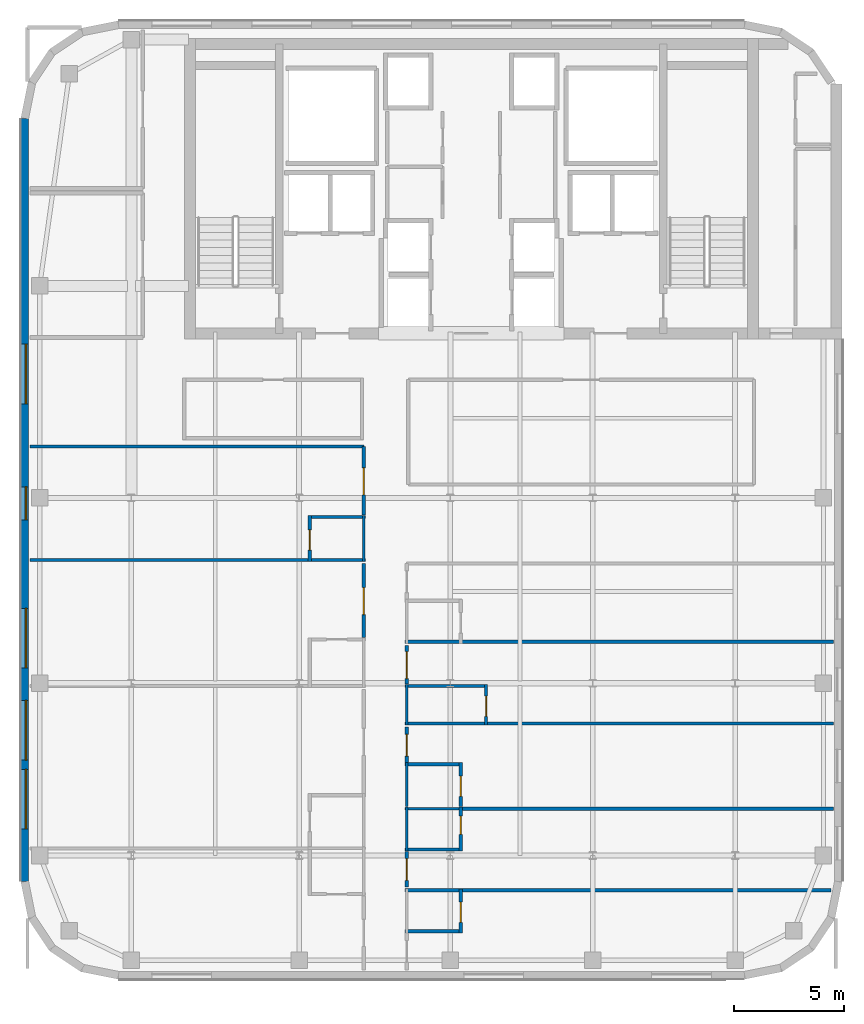
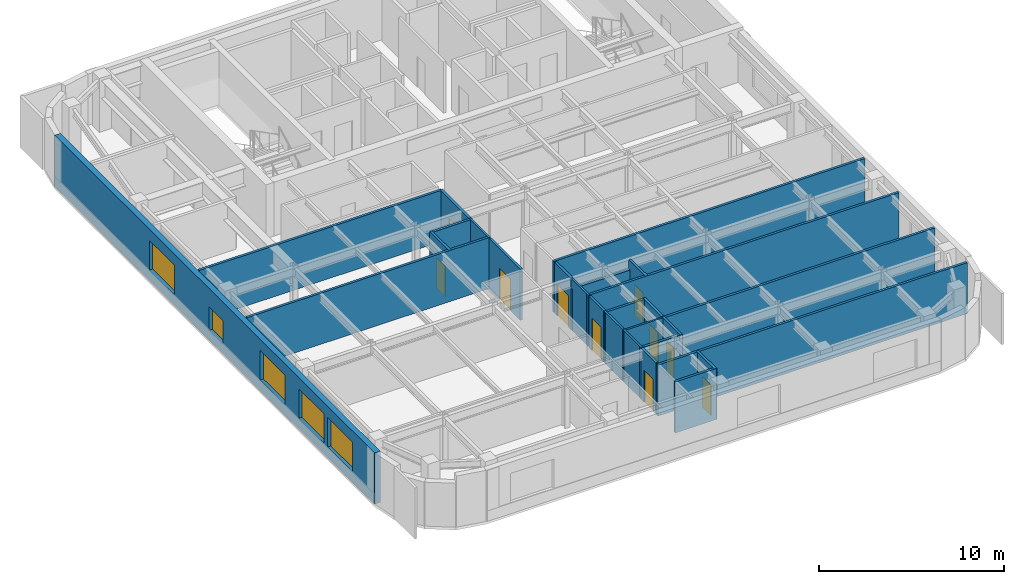
# One storey, part 4 of 12: 28 walls, 10 doors, 5 windows, 15 openings.
"""IFC4 building model written with IfcOpenShell, lengths in metres."""

from ifc_helpers import new_model, si_unit, direction, frame, frame_2d, origin, place, context, subcontext, project, spatial, rectangle, extrude, source, transform, mapped, material, layer, layer_set, type_object, type_shapes, element, fill, save


model = new_model("IFC4")

# Units and contexts
model_context = context("Model", 3, precision=1e-05, world=origin(), true_north=direction((0.0, 1.0)))
body_context = subcontext(model_context, "Body", "Model", "MODEL_VIEW")
ifc_project = project(units=[si_unit("LENGTHUNIT", "METRE"), si_unit("AREAUNIT", "SQUARE_METRE"), si_unit("VOLUMEUNIT", "CUBIC_METRE"), si_unit("PLANEANGLEUNIT", "RADIAN"), si_unit("MASSUNIT", "GRAM", prefix="KILO")], contexts=[model_context])

# Site, building, storey
site_placement = place(None, origin())
site = spatial("IfcSite", under=ifc_project, at=site_placement, CompositionType="ELEMENT")
building_placement = place(site_placement, origin())
building = spatial("IfcBuilding", under=site, at=building_placement, Name="Tolvann Quenvar Hotel", CompositionType="ELEMENT")
storey_placement = place(building_placement, frame((0.0, 0.0, 213.25)))
storey = spatial("IfcBuildingStorey", under=building, at=storey_placement, Name="L56", CompositionType="ELEMENT", Elevation=213.25)

# Wall, openings, windows
ifc_material_1 = material(Name="Kiln-fired red and buff architectural clay brickwork and terracotta masonry", Category="masonry")
ifc_layer_1 = layer(ifc_material_1, 0.35009765625)
ifc_layer_set_1 = layer_set([ifc_layer_1], Name="Kiln-fired red and buff architectural clay brickwork and terracotta masonry")
wall_type_1 = type_object("IfcWallType", Name="WALL_EXT_BRICK_350", PredefinedType="SOLIDWALL", material=ifc_layer_set_1)
wall_1_placement = place(storey_placement, frame((2.77490234375, 41.582763671875, 0.0), z_axis=(0.0, 0.0, 1.0), x_axis=(0.0, -1.0, 0.0)))
wall_1 = element("IfcWall", 1, at=wall_1_placement, inside=storey, type_object=wall_type_1, Name="Exterior Chicago Brick Wall L56-E19", PredefinedType="SOLIDWALL", context=body_context, shape_type="SweptSolid", body=[
    extrude(rectangle(XDim=34.565673828125, YDim=0.35009765625, at=frame_2d((17.28271484375, 0.0))), origin(), (0.0, 0.0, 1.0), 3.3701171875),
])
opening_1_placement = place(wall_1_placement, frame((10.22705078125, 0.0, 0.679931640625)))
opening_1 = element("IfcOpeningElement", 2, at=opening_1_placement, cuts=wall_1, Name="Opening W-04", PredefinedType="OPENING", context=body_context, shape_type="SweptSolid", body=[
    extrude(rectangle(XDim=2.699951171875, YDim=1.949951171875, at=frame_2d((1.35009765625, 0.97509765625))), frame((0.0, 0.18505859375, 0.0), z_axis=(0.0, -1.0, 0.0), x_axis=(1.0, 0.0, 0.0)), (0.0, 0.0, 1.0), 0.3701171875),
])
opening_2_placement = place(wall_1_placement, frame((22.18896484375, 0.0, 0.679931640625)))
opening_2 = element("IfcOpeningElement", 3, at=opening_2_placement, cuts=wall_1, Name="Opening W-04", PredefinedType="OPENING", context=body_context, shape_type="SweptSolid", body=[
    extrude(rectangle(XDim=2.699951171875, YDim=1.949951171875, at=frame_2d((1.35009765625, 0.97509765625))), frame((0.0, 0.18505859375, 0.0), z_axis=(0.0, -1.0, 0.0), x_axis=(1.0, 0.0, 0.0)), (0.0, 0.0, 1.0), 0.3701171875),
])
opening_3_placement = place(wall_1_placement, frame((26.360107421875, 0.0, 0.679931640625)))
opening_3 = element("IfcOpeningElement", 4, at=opening_3_placement, cuts=wall_1, Name="Opening W-04", PredefinedType="OPENING", context=body_context, shape_type="SweptSolid", body=[
    extrude(rectangle(XDim=2.699951171875, YDim=1.949951171875, at=frame_2d((1.35009765625, 0.97509765625))), frame((0.0, 0.18505859375, 0.0), z_axis=(0.0, -1.0, 0.0), x_axis=(1.0, 0.0, 0.0)), (0.0, 0.0, 1.0), 0.3701171875),
])
opening_4_placement = place(wall_1_placement, frame((29.47998046875, 0.0, 0.679931640625)))
opening_4 = element("IfcOpeningElement", 5, at=opening_4_placement, cuts=wall_1, Name="Opening W-04", PredefinedType="OPENING", context=body_context, shape_type="SweptSolid", body=[
    extrude(rectangle(XDim=2.699951171875, YDim=1.949951171875, at=frame_2d((1.35009765625, 0.97509765625))), frame((0.0, 0.18505859375, 0.0), z_axis=(0.0, -1.0, 0.0), x_axis=(1.0, 0.0, 0.0)), (0.0, 0.0, 1.0), 0.3701171875),
])
opening_5_placement = place(wall_1_placement, frame((16.68310546875, 0.0, 0.6201171875)))
opening_5 = element("IfcOpeningElement", 6, at=opening_5_placement, cuts=wall_1, Name="Opening W-08", PredefinedType="OPENING", context=body_context, shape_type="SweptSolid", body=[
    extrude(rectangle(XDim=1.5, YDim=1.550048828125, at=frame_2d((0.75, 0.77490234375))), frame((0.0, 0.18505859375, 0.0), z_axis=(0.0, -1.0, 0.0), x_axis=(1.0, 0.0, 0.0)), (0.0, 0.0, 1.0), 0.3701171875),
])
ifc_material_2 = material(Name="Thermally broken bronze-anodised aluminium frame with double low-E glazing", Category="aluminium")
window_type_1 = type_object("IfcWindowType", Name="WIN_COR_1500x2050", PartitioningType="SINGLE_PANEL", PredefinedType="WINDOW", material=ifc_material_2)
shared_shape_1 = source(origin(), body_context, "Body", "SweptSolid", [
    extrude(rectangle(XDim=1.5, YDim=1.550048828125, at=frame_2d((0.75, 0.77490234375))), frame((0.0, 0.090087890625, 0.0), z_axis=(0.0, -1.0, 0.0), x_axis=(1.0, 0.0, 0.0)), (0.0, 0.0, 1.0), 0.06005859375),
])
type_shapes(window_type_1, [shared_shape_1])
window_1_placement = place(opening_5_placement, origin())
window_1 = element("IfcWindow", 7, at=window_1_placement, inside=storey, type_object=window_type_1, Name="Chicago Window W-08 (EW-L56-E19-WD05)", OverallHeight=1.550048828125, OverallWidth=1.5, PartitioningType="SINGLE_PANEL", PredefinedType="WINDOW", context=body_context, shape_type="MappedRepresentation", body=[
    mapped(shared_shape_1, transform((0.0, 0.0, 0.0), x_axis=(1.0, 0.0, 0.0), y_axis=(0.0, 1.0, 0.0), z_axis=(0.0, 0.0, 1.0), scale=1.0)),
])
fill(opening_5, window_1)
window_type_2 = type_object("IfcWindowType", Name="WIN_STE_2700x2150", PartitioningType="TRIPLE_PANEL_HORIZONTAL", PredefinedType="WINDOW", material=ifc_material_2)
shared_shape_2 = source(origin(), body_context, "Body", "SweptSolid", [
    extrude(rectangle(XDim=2.699951171875, YDim=1.949951171875, at=frame_2d((1.35009765625, 0.97509765625))), frame((0.0, 0.090087890625, 0.0), z_axis=(0.0, -1.0, 0.0), x_axis=(1.0, 0.0, 0.0)), (0.0, 0.0, 1.0), 0.06005859375),
])
type_shapes(window_type_2, [shared_shape_2])
window_2_placement = place(opening_1_placement, origin())
window_2 = element("IfcWindow", 8, at=window_2_placement, inside=storey, type_object=window_type_2, Name="Chicago Window W-04 (EW-L56-E19-W01)", OverallHeight=1.949951171875, OverallWidth=2.699951171875, PartitioningType="TRIPLE_PANEL_HORIZONTAL", PredefinedType="WINDOW", context=body_context, shape_type="MappedRepresentation", body=[
    mapped(shared_shape_2, transform((0.0, 0.0, 0.0), x_axis=(1.0, 0.0, 0.0), y_axis=(0.0, 1.0, 0.0), z_axis=(0.0, 0.0, 1.0), scale=1.0)),
])
fill(opening_1, window_2)
window_3_placement = place(opening_2_placement, origin())
window_3 = element("IfcWindow", 9, at=window_3_placement, inside=storey, type_object=window_type_2, Name="Chicago Window W-04 (EW-L56-E19-W02)", OverallHeight=1.949951171875, OverallWidth=2.699951171875, PartitioningType="TRIPLE_PANEL_HORIZONTAL", PredefinedType="WINDOW", context=body_context, shape_type="MappedRepresentation", body=[
    mapped(shared_shape_2, transform((0.0, 0.0, 0.0), x_axis=(1.0, 0.0, 0.0), y_axis=(0.0, 1.0, 0.0), z_axis=(0.0, 0.0, 1.0), scale=1.0)),
])
fill(opening_2, window_3)
window_4_placement = place(opening_3_placement, origin())
window_4 = element("IfcWindow", 10, at=window_4_placement, inside=storey, type_object=window_type_2, Name="Chicago Window W-04 (EW-L56-E19-W03)", OverallHeight=1.949951171875, OverallWidth=2.699951171875, PartitioningType="TRIPLE_PANEL_HORIZONTAL", PredefinedType="WINDOW", context=body_context, shape_type="MappedRepresentation", body=[
    mapped(shared_shape_2, transform((0.0, 0.0, 0.0), x_axis=(1.0, 0.0, 0.0), y_axis=(0.0, 1.0, 0.0), z_axis=(0.0, 0.0, 1.0), scale=1.0)),
])
fill(opening_3, window_4)
window_5_placement = place(opening_4_placement, origin())
window_5 = element("IfcWindow", 11, at=window_5_placement, inside=storey, type_object=window_type_2, Name="Chicago Window W-04 (EW-L56-E19-W04)", OverallHeight=1.949951171875, OverallWidth=2.699951171875, PartitioningType="TRIPLE_PANEL_HORIZONTAL", PredefinedType="WINDOW", context=body_context, shape_type="MappedRepresentation", body=[
    mapped(shared_shape_2, transform((0.0, 0.0, 0.0), x_axis=(1.0, 0.0, 0.0), y_axis=(0.0, 1.0, 0.0), z_axis=(0.0, 0.0, 1.0), scale=1.0)),
])
fill(opening_4, window_5)

# Walls
ifc_material_3 = material(Name="Moisture-resistant acoustic plumbing wall assembly")
ifc_layer_2 = layer(ifc_material_3, 0.1201171875)
ifc_layer_set_2 = layer_set([ifc_layer_2], Name="Moisture-resistant acoustic plumbing wall assembly")
wall_type_2 = type_object("IfcWallType", Name="WALL_PART_BATH_120", PredefinedType="PLUMBINGWALL", material=ifc_layer_set_2)
wall_2_placement = place(storey_placement, frame((18.1298828125, 21.510009765625, 0.0), z_axis=(0.0, 0.0, 1.0), x_axis=(0.0, 1.0, 0.0)))
element("IfcWall", 12, at=wall_2_placement, inside=storey, type_object=wall_type_2, Name="Non-Rated Plumbing Partition PT-SPC-L56-ENS-WO04-E", PredefinedType="PLUMBINGWALL", context=body_context, shape_type="SweptSolid", body=[
    extrude(rectangle(XDim=2.093017578125, YDim=0.1201171875, at=frame_2d((1.04638671875, 0.0))), origin(), (0.0, 0.0, 1.0), 3.3701171875),
])
wall_3_placement = place(storey_placement, frame((20.0, 10.320068359375, 0.0), z_axis=(0.0, 0.0, 1.0), x_axis=(1.0, 0.0, 0.0)))
element("IfcWall", 13, at=wall_3_placement, inside=storey, type_object=wall_type_2, Name="Non-Rated Plumbing Partition PT-SPC-L56-ENS-EO02-N", PredefinedType="PLUMBINGWALL", context=body_context, shape_type="SweptSolid", body=[
    extrude(rectangle(XDim=2.590087890625, YDim=0.1201171875, at=frame_2d((1.294921875, 0.0))), origin(), (0.0, 0.0, 1.0), 3.3701171875),
])
for number, where, z_axis, x_axis, name in (
    (14, (20.070068359375, 8.39990234375, 0.0), (0.0, 0.0, 1.0), (0.0, 1.0, 0.0), "Non-Rated Plumbing Partition PT-SPC-L56-ENS-EO02-W"),
    (15, (20.070068359375, 10.409912109375, 0.0), (0.0, 0.0, 1.0), (0.0, 1.0, 0.0), "Non-Rated Plumbing Partition PT-SPC-L56-ENS-EO03-W"),
):
    element("IfcWall", number, at=place(storey_placement, frame(where, z_axis=z_axis, x_axis=x_axis)), inside=storey, type_object=wall_type_2, Name=name, PredefinedType="PLUMBINGWALL", context=body_context, shape_type="SweptSolid", body=[
        extrude(rectangle(XDim=1.989990234375, YDim=0.1201171875, at=frame_2d((0.9951171875, 0.0))), origin(), (0.0, 0.0, 1.0), 3.3701171875),
    ])
wall_4_placement = place(storey_placement, frame((20.070068359375, 14.110107421875, 0.0), z_axis=(0.0, 0.0, 1.0), x_axis=(0.0, 1.0, 0.0)))
element("IfcWall", 16, at=wall_4_placement, inside=storey, type_object=wall_type_2, Name="Non-Rated Plumbing Partition PT-SPC-L56-ENS-EO04-W", PredefinedType="PLUMBINGWALL", context=body_context, shape_type="SweptSolid", body=[
    extrude(rectangle(XDim=1.8388671875, YDim=0.1201171875, at=frame_2d((0.91943359375, 0.0))), origin(), (0.0, 0.0, 1.0), 3.3701171875),
])

# Wall, opening, door
ifc_material_4 = material(Name="Acoustic twin-stud fire-rated gypsum plasterboard partition")
ifc_layer_3 = layer(ifc_material_4, 0.14990234375)
ifc_layer_set_3 = layer_set([ifc_layer_3], Name="Acoustic twin-stud fire-rated gypsum plasterboard partition")
wall_type_3 = type_object("IfcWallType", Name="WALL_PART_SUITE_150", PredefinedType="PARTITIONING", material=ifc_layer_set_3)
wall_5_placement = place(storey_placement, frame((15.679931640625, 21.510009765625, 0.0), z_axis=(0.0, 0.0, 1.0), x_axis=(0.0, 1.0, 0.0)))
wall_5 = element("IfcWall", 17, at=wall_5_placement, inside=storey, type_object=wall_type_3, Name="Interior Partition PT-SPC-L56-ENS-WO04-ENT", PredefinedType="PARTITIONING", context=body_context, shape_type="SweptSolid", body=[
    extrude(rectangle(XDim=2.093017578125, YDim=0.14990234375, at=frame_2d((1.04638671875, 0.0))), origin(), (0.0, 0.0, 1.0), 3.3701171875),
])
opening_6_placement = place(wall_5_placement, frame((0.5166015625, 0.0, 0.0)))
opening_6 = element("IfcOpeningElement", 18, at=opening_6_placement, cuts=wall_5, Name="Opening WD-01", PredefinedType="OPENING", context=body_context, shape_type="SweptSolid", body=[
    extrude(rectangle(XDim=0.919921875, YDim=2.010009765625, at=frame_2d((0.4599609375, 1.0048828125))), frame((0.0, 0.0849609375, 0.0), z_axis=(0.0, -1.0, 0.0), x_axis=(1.0, 0.0, 0.0)), (0.0, 0.0, 1.0), 0.169921875),
])
ifc_material_5 = material(Name="Solid-core American oak acoustic fire door leaf in steel frame", Category="steel")
door_type_1 = type_object("IfcDoorType", Name="DOOR_WC_920", OperationType="NOTDEFINED", PredefinedType="DOOR", material=ifc_material_5)
shared_shape_3 = source(origin(), body_context, "Body", "SweptSolid", [
    extrude(rectangle(XDim=0.919921875, YDim=2.010009765625, at=frame_2d((0.4599609375, 1.0048828125))), frame((0.0, 0.02490234375, 0.0), z_axis=(0.0, -1.0, 0.0), x_axis=(1.0, 0.0, 0.0)), (0.0, 0.0, 1.0), 0.050048828125),
])
type_shapes(door_type_1, [shared_shape_3])
door_1_placement = place(opening_6_placement, origin())
door_1 = element("IfcDoor", 19, at=door_1_placement, inside=storey, type_object=door_type_1, Name="Interior Door DOOR-SPC-L56-ENS-WO04", OperationType="SINGLE_SWING_LEFT", OverallHeight=2.010009765625, OverallWidth=0.919921875, PredefinedType="DOOR", context=body_context, shape_type="MappedRepresentation", body=[
    mapped(shared_shape_3, transform((0.0, 0.0, 0.0), x_axis=(1.0, 0.0, 0.0), y_axis=(0.0, 1.0, 0.0), z_axis=(0.0, 0.0, 1.0), scale=1.0)),
])
fill(opening_6, door_1)

# Walls
wall_6_placement = place(storey_placement, frame((3.0048828125, 21.580078125, 0.0), z_axis=(0.0, 0.0, 1.0), x_axis=(1.0, 0.0, 0.0)))
element("IfcWall", 20, at=wall_6_placement, inside=storey, type_object=wall_type_3, Name="Interior Partition PT-SPC-L56-ENS-WO04-S", PredefinedType="PARTITIONING", context=body_context, shape_type="SweptSolid", body=[
    extrude(rectangle(XDim=15.195068359375, YDim=0.14990234375, at=frame_2d((7.59765625, 0.0))), origin(), (0.0, 0.0, 1.0), 3.3701171875),
])
wall_7_placement = place(storey_placement, frame((15.610107421875, 23.532958984375, 0.0), z_axis=(0.0, 0.0, 1.0), x_axis=(1.0, 0.0, 0.0)))
element("IfcWall", 21, at=wall_7_placement, inside=storey, type_object=wall_type_3, Name="Interior Partition PT-SPC-L56-ENS-WO04-N", PredefinedType="PARTITIONING", context=body_context, shape_type="SweptSolid", body=[
    extrude(rectangle(XDim=2.58984375, YDim=0.14990234375, at=frame_2d((1.294921875, 0.0))), origin(), (0.0, 0.0, 1.0), 3.3701171875),
])

# Wall, opening, door
wall_8_placement = place(storey_placement, frame((22.52001953125, 4.699951171875, 0.0), z_axis=(0.0, 0.0, 1.0), x_axis=(0.0, 1.0, 0.0)))
wall_8 = element("IfcWall", 22, at=wall_8_placement, inside=storey, type_object=wall_type_3, Name="Interior Partition PT-SPC-L56-ENS-EO01-ENT", PredefinedType="PARTITIONING", context=body_context, shape_type="SweptSolid", body=[
    extrude(rectangle(XDim=1.989990234375, YDim=0.14990234375, at=frame_2d((0.9951171875, 0.0))), origin(), (0.0, 0.0, 1.0), 3.3701171875),
])
opening_7_placement = place(wall_8_placement, frame((0.465087890625, 0.0, 0.0)))
opening_7 = element("IfcOpeningElement", 23, at=opening_7_placement, cuts=wall_8, Name="Opening WD-01", PredefinedType="OPENING", context=body_context, shape_type="SweptSolid", body=[
    extrude(rectangle(XDim=0.919921875, YDim=2.010009765625, at=frame_2d((0.4599609375, 1.0048828125))), frame((0.0, 0.0849609375, 0.0), z_axis=(0.0, -1.0, 0.0), x_axis=(1.0, 0.0, 0.0)), (0.0, 0.0, 1.0), 0.169921875),
])
door_2_placement = place(opening_7_placement, origin())
door_2 = element("IfcDoor", 24, at=door_2_placement, inside=storey, type_object=door_type_1, Name="Interior Door DOOR-SPC-L56-ENS-EO01", OperationType="SINGLE_SWING_RIGHT", OverallHeight=2.010009765625, OverallWidth=0.919921875, PredefinedType="DOOR", context=body_context, shape_type="MappedRepresentation", body=[
    mapped(shared_shape_3, transform((0.0, 0.0, 0.0), x_axis=(1.0, 0.0, 0.0), y_axis=(0.0, 1.0, 0.0), z_axis=(0.0, 0.0, 1.0), scale=1.0)),
])
fill(opening_7, door_2)

# Walls
for number, where, z_axis, x_axis, name in (
    (25, (20.0, 4.77001953125, 0.0), (0.0, 0.0, 1.0), (1.0, 0.0, 0.0), "Interior Partition PT-SPC-L56-ENS-EO01-S"),
    (26, (20.0, 6.6201171875, 0.0), (0.0, 0.0, 1.0), (1.0, 0.0, 0.0), "Interior Partition PT-SPC-L56-ENS-EO01-N"),
):
    element("IfcWall", number, at=place(storey_placement, frame(where, z_axis=z_axis, x_axis=x_axis)), inside=storey, type_object=wall_type_3, Name=name, PredefinedType="PARTITIONING", context=body_context, shape_type="SweptSolid", body=[
        extrude(rectangle(XDim=2.590087890625, YDim=0.14990234375, at=frame_2d((1.294921875, 0.0))), origin(), (0.0, 0.0, 1.0), 3.3701171875),
    ])

# Wall, opening, door
wall_9_placement = place(storey_placement, frame((22.52001953125, 8.39990234375, 0.0), z_axis=(0.0, 0.0, 1.0), x_axis=(0.0, 1.0, 0.0)))
wall_9 = element("IfcWall", 27, at=wall_9_placement, inside=storey, type_object=wall_type_3, Name="Interior Partition PT-SPC-L56-ENS-EO02-ENT", PredefinedType="PARTITIONING", context=body_context, shape_type="SweptSolid", body=[
    extrude(rectangle(XDim=1.989990234375, YDim=0.14990234375, at=frame_2d((0.9951171875, 0.0))), origin(), (0.0, 0.0, 1.0), 3.3701171875),
])
opening_8_placement = place(wall_9_placement, frame((0.760009765625, 0.0, 0.0)))
opening_8 = element("IfcOpeningElement", 28, at=opening_8_placement, cuts=wall_9, Name="Opening HD-02", PredefinedType="OPENING", context=body_context, shape_type="SweptSolid", body=[
    extrude(rectangle(XDim=0.820068359375, YDim=2.010009765625, at=frame_2d((0.41015625, 1.0048828125))), frame((0.0, 0.0849609375, 0.0), z_axis=(0.0, -1.0, 0.0), x_axis=(1.0, 0.0, 0.0)), (0.0, 0.0, 1.0), 0.169921875),
])
ifc_material_6 = material(Name="Pressed galvanised steel fire-rated door set", Category="steel")
door_type_2 = type_object("IfcDoorType", Name="DOOR_STORE_820", OperationType="NOTDEFINED", PredefinedType="DOOR", material=ifc_material_6)
shared_shape_4 = source(origin(), body_context, "Body", "SweptSolid", [
    extrude(rectangle(XDim=0.820068359375, YDim=2.010009765625, at=frame_2d((0.41015625, 1.0048828125))), frame((0.0, 0.02490234375, 0.0), z_axis=(0.0, -1.0, 0.0), x_axis=(1.0, 0.0, 0.0)), (0.0, 0.0, 1.0), 0.050048828125),
])
type_shapes(door_type_2, [shared_shape_4])
door_3_placement = place(opening_8_placement, origin())
door_3 = element("IfcDoor", 29, at=door_3_placement, inside=storey, type_object=door_type_2, Name="Interior Door DOOR-SPC-L56-ENS-EO02", OperationType="SINGLE_SWING_LEFT", OverallHeight=2.010009765625, OverallWidth=0.820068359375, PredefinedType="DOOR", context=body_context, shape_type="MappedRepresentation", body=[
    mapped(shared_shape_4, transform((0.0, 0.0, 0.0), x_axis=(1.0, 0.0, 0.0), y_axis=(0.0, 1.0, 0.0), z_axis=(0.0, 0.0, 1.0), scale=1.0)),
])
fill(opening_8, door_3)

# Wall
wall_10_placement = place(storey_placement, frame((20.0, 8.469970703125, 0.0), z_axis=(0.0, 0.0, 1.0), x_axis=(1.0, 0.0, 0.0)))
element("IfcWall", 30, at=wall_10_placement, inside=storey, type_object=wall_type_3, Name="Interior Partition PT-SPC-L56-ENS-EO02-S", PredefinedType="PARTITIONING", context=body_context, shape_type="SweptSolid", body=[
    extrude(rectangle(XDim=2.590087890625, YDim=0.14990234375, at=frame_2d((1.294921875, 0.0))), origin(), (0.0, 0.0, 1.0), 3.3701171875),
])

# Wall, opening, door
wall_11_placement = place(storey_placement, frame((22.52001953125, 10.409912109375, 0.0), z_axis=(0.0, 0.0, 1.0), x_axis=(0.0, 1.0, 0.0)))
wall_11 = element("IfcWall", 31, at=wall_11_placement, inside=storey, type_object=wall_type_3, Name="Interior Partition PT-SPC-L56-ENS-EO03-ENT", PredefinedType="PARTITIONING", context=body_context, shape_type="SweptSolid", body=[
    extrude(rectangle(XDim=1.989990234375, YDim=0.14990234375, at=frame_2d((0.9951171875, 0.0))), origin(), (0.0, 0.0, 1.0), 3.3701171875),
])
opening_9_placement = place(wall_11_placement, frame((0.465087890625, 0.0, 0.0)))
opening_9 = element("IfcOpeningElement", 32, at=opening_9_placement, cuts=wall_11, Name="Opening WD-01", PredefinedType="OPENING", context=body_context, shape_type="SweptSolid", body=[
    extrude(rectangle(XDim=0.919921875, YDim=2.010009765625, at=frame_2d((0.4599609375, 1.0048828125))), frame((0.0, 0.0849609375, 0.0), z_axis=(0.0, -1.0, 0.0), x_axis=(1.0, 0.0, 0.0)), (0.0, 0.0, 1.0), 0.169921875),
])
door_4_placement = place(opening_9_placement, origin())
door_4 = element("IfcDoor", 33, at=door_4_placement, inside=storey, type_object=door_type_1, Name="Interior Door DOOR-SPC-L56-ENS-EO03", OperationType="SINGLE_SWING_RIGHT", OverallHeight=2.010009765625, OverallWidth=0.919921875, PredefinedType="DOOR", context=body_context, shape_type="MappedRepresentation", body=[
    mapped(shared_shape_3, transform((0.0, 0.0, 0.0), x_axis=(1.0, 0.0, 0.0), y_axis=(0.0, 1.0, 0.0), z_axis=(0.0, 0.0, 1.0), scale=1.0)),
])
fill(opening_9, door_4)

# Wall
wall_12_placement = place(storey_placement, frame((20.0, 12.330078125, 0.0), z_axis=(0.0, 0.0, 1.0), x_axis=(1.0, 0.0, 0.0)))
element("IfcWall", 34, at=wall_12_placement, inside=storey, type_object=wall_type_3, Name="Interior Partition PT-SPC-L56-ENS-EO03-N", PredefinedType="PARTITIONING", context=body_context, shape_type="SweptSolid", body=[
    extrude(rectangle(XDim=2.590087890625, YDim=0.14990234375, at=frame_2d((1.294921875, 0.0))), origin(), (0.0, 0.0, 1.0), 3.3701171875),
])

# Wall, opening, door
wall_13_placement = place(storey_placement, frame((23.669921875, 14.110107421875, 0.0), z_axis=(0.0, 0.0, 1.0), x_axis=(0.0, 1.0, 0.0)))
wall_13 = element("IfcWall", 35, at=wall_13_placement, inside=storey, type_object=wall_type_3, Name="Interior Partition PT-SPC-L56-ENS-EO04-ENT", PredefinedType="PARTITIONING", context=body_context, shape_type="SweptSolid", body=[
    extrude(rectangle(XDim=1.8388671875, YDim=0.14990234375, at=frame_2d((0.91943359375, 0.0))), origin(), (0.0, 0.0, 1.0), 3.3701171875),
])
opening_10_placement = place(wall_13_placement, frame((0.389404296875, 0.0, 0.0)))
opening_10 = element("IfcOpeningElement", 36, at=opening_10_placement, cuts=wall_13, Name="Opening WD-01", PredefinedType="OPENING", context=body_context, shape_type="SweptSolid", body=[
    extrude(rectangle(XDim=0.919921875, YDim=2.010009765625, at=frame_2d((0.4599609375, 1.0048828125))), frame((0.0, 0.0849609375, 0.0), z_axis=(0.0, -1.0, 0.0), x_axis=(1.0, 0.0, 0.0)), (0.0, 0.0, 1.0), 0.169921875),
])
door_5_placement = place(opening_10_placement, origin())
door_5 = element("IfcDoor", 37, at=door_5_placement, inside=storey, type_object=door_type_1, Name="Interior Door DOOR-SPC-L56-ENS-EO04", OperationType="SINGLE_SWING_LEFT", OverallHeight=2.010009765625, OverallWidth=0.919921875, PredefinedType="DOOR", context=body_context, shape_type="MappedRepresentation", body=[
    mapped(shared_shape_3, transform((0.0, 0.0, 0.0), x_axis=(1.0, 0.0, 0.0), y_axis=(0.0, 1.0, 0.0), z_axis=(0.0, 0.0, 1.0), scale=1.0)),
])
fill(opening_10, door_5)

# Walls
wall_14_placement = place(storey_placement, frame((20.0, 14.179931640625, 0.0), z_axis=(0.0, 0.0, 1.0), x_axis=(1.0, 0.0, 0.0)))
element("IfcWall", 38, at=wall_14_placement, inside=storey, type_object=wall_type_3, Name="Interior Partition PT-SPC-L56-ENS-EO04-S", PredefinedType="PARTITIONING", context=body_context, shape_type="SweptSolid", body=[
    extrude(rectangle(XDim=19.39501953125, YDim=0.14990234375, at=frame_2d((9.697509765625, 0.0))), origin(), (0.0, 0.0, 1.0), 3.3701171875),
])
wall_15_placement = place(storey_placement, frame((20.0, 15.87890625, 0.0), z_axis=(0.0, 0.0, 1.0), x_axis=(1.0, 0.0, 0.0)))
element("IfcWall", 39, at=wall_15_placement, inside=storey, type_object=wall_type_3, Name="Interior Partition PT-SPC-L56-ENS-EO04-N", PredefinedType="PARTITIONING", context=body_context, shape_type="SweptSolid", body=[
    extrude(rectangle(XDim=3.739990234375, YDim=0.14990234375, at=frame_2d((1.8701171875, 0.0))), origin(), (0.0, 0.0, 1.0), 2.758056640625),
])
wall_16_placement = place(storey_placement, frame((20.0, 17.8798828125, 0.0), z_axis=(0.0, 0.0, 1.0), x_axis=(1.0, 0.0, 0.0)))
element("IfcWall", 40, at=wall_16_placement, inside=storey, type_object=wall_type_3, Name="Interior Partition PT-SPC-L56-ENS-EO05-S", PredefinedType="PARTITIONING", context=body_context, shape_type="SweptSolid", body=[
    extrude(rectangle(XDim=19.39501953125, YDim=0.14990234375, at=frame_2d((9.697509765625, 0.0))), origin(), (0.0, 0.0, 1.0), 3.3701171875),
])

# Wall, opening, door
wall_17_placement = place(storey_placement, frame((18.1298828125, 18.06494140625, 0.0), z_axis=(0.0, 0.0, 1.0), x_axis=(0.0, 1.0, 0.0)))
wall_17 = element("IfcWall", 41, at=wall_17_placement, inside=storey, type_object=wall_type_3, Name="Interior Partition PT-SPC-L56-RM-WO03-ENT", PredefinedType="PARTITIONING", context=body_context, shape_type="SweptSolid", body=[
    extrude(rectangle(XDim=3.35498046875, YDim=0.14990234375, at=frame_2d((1.677490234375, 0.0))), origin(), (0.0, 0.0, 1.0), 3.3701171875),
])
opening_11_placement = place(wall_17_placement, frame((1.047607421875, 0.0, 0.0)))
opening_11 = element("IfcOpeningElement", 42, at=opening_11_placement, cuts=wall_17, Name="Opening SD-02", PredefinedType="OPENING", context=body_context, shape_type="SweptSolid", body=[
    extrude(rectangle(XDim=1.219970703125, YDim=2.080078125, at=frame_2d((0.60986328125, 1.0400390625))), frame((0.0, 0.0849609375, 0.0), z_axis=(0.0, -1.0, 0.0), x_axis=(1.0, 0.0, 0.0)), (0.0, 0.0, 1.0), 0.169921875),
])
door_type_3 = type_object("IfcDoorType", Name="DOOR_VIP_1220", OperationType="NOTDEFINED", PredefinedType="DOOR", material=ifc_material_5)
shared_shape_5 = source(origin(), body_context, "Body", "SweptSolid", [
    extrude(rectangle(XDim=1.219970703125, YDim=2.080078125, at=frame_2d((0.60986328125, 1.0400390625))), frame((0.0, 0.02490234375, 0.0), z_axis=(0.0, -1.0, 0.0), x_axis=(1.0, 0.0, 0.0)), (0.0, 0.0, 1.0), 0.050048828125),
])
type_shapes(door_type_3, [shared_shape_5])
door_6_placement = place(opening_11_placement, origin())
door_6 = element("IfcDoor", 43, at=door_6_placement, inside=storey, type_object=door_type_3, Name="Interior Door DOOR-SPC-L56-RM-WO03", OperationType="SINGLE_SWING_RIGHT", OverallHeight=2.080078125, OverallWidth=1.219970703125, PredefinedType="DOOR", context=body_context, shape_type="MappedRepresentation", body=[
    mapped(shared_shape_5, transform((0.0, 0.0, 0.0), x_axis=(1.0, 0.0, 0.0), y_axis=(0.0, 1.0, 0.0), z_axis=(0.0, 0.0, 1.0), scale=1.0)),
])
fill(opening_11, door_6)

wall_18_placement = place(storey_placement, frame((18.1298828125, 23.613037109375, 0.0), z_axis=(0.0, 0.0, 1.0), x_axis=(0.0, 1.0, 0.0)))
wall_18 = element("IfcWall", 44, at=wall_18_placement, inside=storey, type_object=wall_type_3, Name="Interior Partition PT-SPC-L56-RM-WO04-ENT", PredefinedType="PARTITIONING", context=body_context, shape_type="SweptSolid", body=[
    extrude(rectangle(XDim=3.10693359375, YDim=0.14990234375, at=frame_2d((1.553466796875, 0.0))), origin(), (0.0, 0.0, 1.0), 3.3701171875),
])
opening_12_placement = place(wall_18_placement, frame((0.923583984375, 0.0, 0.0)))
opening_12 = element("IfcOpeningElement", 45, at=opening_12_placement, cuts=wall_18, Name="Opening SD-02", PredefinedType="OPENING", context=body_context, shape_type="SweptSolid", body=[
    extrude(rectangle(XDim=1.219970703125, YDim=2.080078125, at=frame_2d((0.60986328125, 1.0400390625))), frame((0.0, 0.0849609375, 0.0), z_axis=(0.0, -1.0, 0.0), x_axis=(1.0, 0.0, 0.0)), (0.0, 0.0, 1.0), 0.169921875),
])
door_7_placement = place(opening_12_placement, origin())
door_7 = element("IfcDoor", 46, at=door_7_placement, inside=storey, type_object=door_type_3, Name="Interior Door DOOR-SPC-L56-RM-WO04", OperationType="SINGLE_SWING_LEFT", OverallHeight=2.080078125, OverallWidth=1.219970703125, PredefinedType="DOOR", context=body_context, shape_type="MappedRepresentation", body=[
    mapped(shared_shape_5, transform((0.0, 0.0, 0.0), x_axis=(1.0, 0.0, 0.0), y_axis=(0.0, 1.0, 0.0), z_axis=(0.0, 0.0, 1.0), scale=1.0)),
])
fill(opening_12, door_7)

# Walls
wall_19_placement = place(storey_placement, frame((3.0048828125, 26.719970703125, 0.0), z_axis=(0.0, 0.0, 1.0), x_axis=(1.0, 0.0, 0.0)))
element("IfcWall", 47, at=wall_19_placement, inside=storey, type_object=wall_type_3, Name="Interior Partition PT-SPC-L56-RM-WO04-E5", PredefinedType="PARTITIONING", context=body_context, shape_type="SweptSolid", body=[
    extrude(rectangle(XDim=15.125, YDim=0.14990234375, at=frame_2d((7.5625, 0.0))), origin(), (0.0, 0.0, 1.0), 3.3701171875),
])
wall_20_placement = place(storey_placement, frame((22.5400390625, 6.6201171875, 0.0), z_axis=(0.0, 0.0, 1.0), x_axis=(1.0, 0.0, 0.0)))
element("IfcWall", 48, at=wall_20_placement, inside=storey, type_object=wall_type_3, Name="Interior Partition PT-SPC-L56-RM-EO01-E3", PredefinedType="PARTITIONING", context=body_context, shape_type="SweptSolid", body=[
    extrude(rectangle(XDim=16.748046875, YDim=0.14990234375, at=frame_2d((8.3740234375, 0.0))), origin(), (0.0, 0.0, 1.0), 3.3701171875),
])

# Wall, opening, door
wall_21_placement = place(storey_placement, frame((20.070068359375, 6.780029296875, 0.0), z_axis=(0.0, 0.0, 1.0), x_axis=(0.0, 1.0, 0.0)))
wall_21 = element("IfcWall", 49, at=wall_21_placement, inside=storey, type_object=wall_type_3, Name="Interior Partition PT-SPC-L56-RM-EO02-ENT", PredefinedType="PARTITIONING", context=body_context, shape_type="SweptSolid", body=[
    extrude(rectangle(XDim=1.60986328125, YDim=0.14990234375, at=frame_2d((0.804931640625, 0.0))), origin(), (0.0, 0.0, 1.0), 3.3701171875),
])
opening_13_placement = place(wall_21_placement, frame((0.294921875, 0.0, 0.0)))
opening_13 = element("IfcOpeningElement", 50, at=opening_13_placement, cuts=wall_21, Name="Opening SD-01", PredefinedType="OPENING", context=body_context, shape_type="SweptSolid", body=[
    extrude(rectangle(XDim=0.97998046875, YDim=2.1201171875, at=frame_2d((0.489990234375, 1.06005859375))), frame((0.0, 0.0849609375, 0.0), z_axis=(0.0, -1.0, 0.0), x_axis=(1.0, 0.0, 0.0)), (0.0, 0.0, 1.0), 0.169921875),
])
door_type_4 = type_object("IfcDoorType", Name="DOOR_SUITE_980", OperationType="NOTDEFINED", PredefinedType="DOOR", material=ifc_material_5)
shared_shape_6 = source(origin(), body_context, "Body", "SweptSolid", [
    extrude(rectangle(XDim=0.97998046875, YDim=2.1201171875, at=frame_2d((0.489990234375, 1.06005859375))), frame((0.0, 0.02490234375, 0.0), z_axis=(0.0, -1.0, 0.0), x_axis=(1.0, 0.0, 0.0)), (0.0, 0.0, 1.0), 0.050048828125),
])
type_shapes(door_type_4, [shared_shape_6])
door_8_placement = place(opening_13_placement, origin())
door_8 = element("IfcDoor", 51, at=door_8_placement, inside=storey, type_object=door_type_4, Name="Interior Door DOOR-SPC-L56-RM-EO02", OperationType="SINGLE_SWING_LEFT", OverallHeight=2.1201171875, OverallWidth=0.97998046875, PredefinedType="DOOR", context=body_context, shape_type="MappedRepresentation", body=[
    mapped(shared_shape_6, transform((0.0, 0.0, 0.0), x_axis=(1.0, 0.0, 0.0), y_axis=(0.0, 1.0, 0.0), z_axis=(0.0, 0.0, 1.0), scale=1.0)),
])
fill(opening_13, door_8)

# Wall
wall_22_placement = place(storey_placement, frame((22.5400390625, 10.320068359375, 0.0), z_axis=(0.0, 0.0, 1.0), x_axis=(1.0, 0.0, 0.0)))
element("IfcWall", 52, at=wall_22_placement, inside=storey, type_object=wall_type_3, Name="Interior Partition PT-SPC-L56-RM-EO02-E3", PredefinedType="PARTITIONING", context=body_context, shape_type="SweptSolid", body=[
    extrude(rectangle(XDim=16.85498046875, YDim=0.14990234375, at=frame_2d((8.427490234375, 0.0))), origin(), (0.0, 0.0, 1.0), 3.3701171875),
])

# Wall, opening, door
wall_23_placement = place(storey_placement, frame((20.070068359375, 12.409912109375, 0.0), z_axis=(0.0, 0.0, 1.0), x_axis=(0.0, 1.0, 0.0)))
wall_23 = element("IfcWall", 53, at=wall_23_placement, inside=storey, type_object=wall_type_3, Name="Interior Partition PT-SPC-L56-RM-EO03-ENT", PredefinedType="PARTITIONING", context=body_context, shape_type="SweptSolid", body=[
    extrude(rectangle(XDim=1.610107421875, YDim=0.14990234375, at=frame_2d((0.80517578125, 0.0))), origin(), (0.0, 0.0, 1.0), 3.3701171875),
])
opening_14_placement = place(wall_23_placement, frame((0.294921875, 0.0, 0.0)))
opening_14 = element("IfcOpeningElement", 54, at=opening_14_placement, cuts=wall_23, Name="Opening SD-01", PredefinedType="OPENING", context=body_context, shape_type="SweptSolid", body=[
    extrude(rectangle(XDim=0.97998046875, YDim=2.1201171875, at=frame_2d((0.489990234375, 1.06005859375))), frame((0.0, 0.0849609375, 0.0), z_axis=(0.0, -1.0, 0.0), x_axis=(1.0, 0.0, 0.0)), (0.0, 0.0, 1.0), 0.169921875),
])
door_9_placement = place(opening_14_placement, origin())
door_9 = element("IfcDoor", 55, at=door_9_placement, inside=storey, type_object=door_type_4, Name="Interior Door DOOR-SPC-L56-RM-EO03", OperationType="SINGLE_SWING_RIGHT", OverallHeight=2.1201171875, OverallWidth=0.97998046875, PredefinedType="DOOR", context=body_context, shape_type="MappedRepresentation", body=[
    mapped(shared_shape_6, transform((0.0, 0.0, 0.0), x_axis=(1.0, 0.0, 0.0), y_axis=(0.0, 1.0, 0.0), z_axis=(0.0, 0.0, 1.0), scale=1.0)),
])
fill(opening_14, door_9)

wall_24_placement = place(storey_placement, frame((20.070068359375, 15.958984375, 0.0), z_axis=(0.0, 0.0, 1.0), x_axis=(0.0, 1.0, 0.0)))
wall_24 = element("IfcWall", 56, at=wall_24_placement, inside=storey, type_object=wall_type_3, Name="Interior Partition PT-SPC-L56-RM-EO04-ENT", PredefinedType="PARTITIONING", context=body_context, shape_type="SweptSolid", body=[
    extrude(rectangle(XDim=1.760986328125, YDim=0.14990234375, at=frame_2d((0.88037109375, 0.0))), origin(), (0.0, 0.0, 1.0), 3.3701171875),
])
opening_15_placement = place(wall_24_placement, frame((0.25048828125, 0.0, 0.0)))
opening_15 = element("IfcOpeningElement", 57, at=opening_15_placement, cuts=wall_24, Name="Opening SD-02", PredefinedType="OPENING", context=body_context, shape_type="SweptSolid", body=[
    extrude(rectangle(XDim=1.219970703125, YDim=2.080078125, at=frame_2d((0.60986328125, 1.0400390625))), frame((0.0, 0.0849609375, 0.0), z_axis=(0.0, -1.0, 0.0), x_axis=(1.0, 0.0, 0.0)), (0.0, 0.0, 1.0), 0.169921875),
])
door_10_placement = place(opening_15_placement, origin())
door_10 = element("IfcDoor", 58, at=door_10_placement, inside=storey, type_object=door_type_3, Name="Interior Door DOOR-SPC-L56-RM-EO04", OperationType="SINGLE_SWING_LEFT", OverallHeight=2.080078125, OverallWidth=1.219970703125, PredefinedType="DOOR", context=body_context, shape_type="MappedRepresentation", body=[
    mapped(shared_shape_5, transform((0.0, 0.0, 0.0), x_axis=(1.0, 0.0, 0.0), y_axis=(0.0, 1.0, 0.0), z_axis=(0.0, 0.0, 1.0), scale=1.0)),
])
fill(opening_15, door_10)

save(model, "model.ifc")
